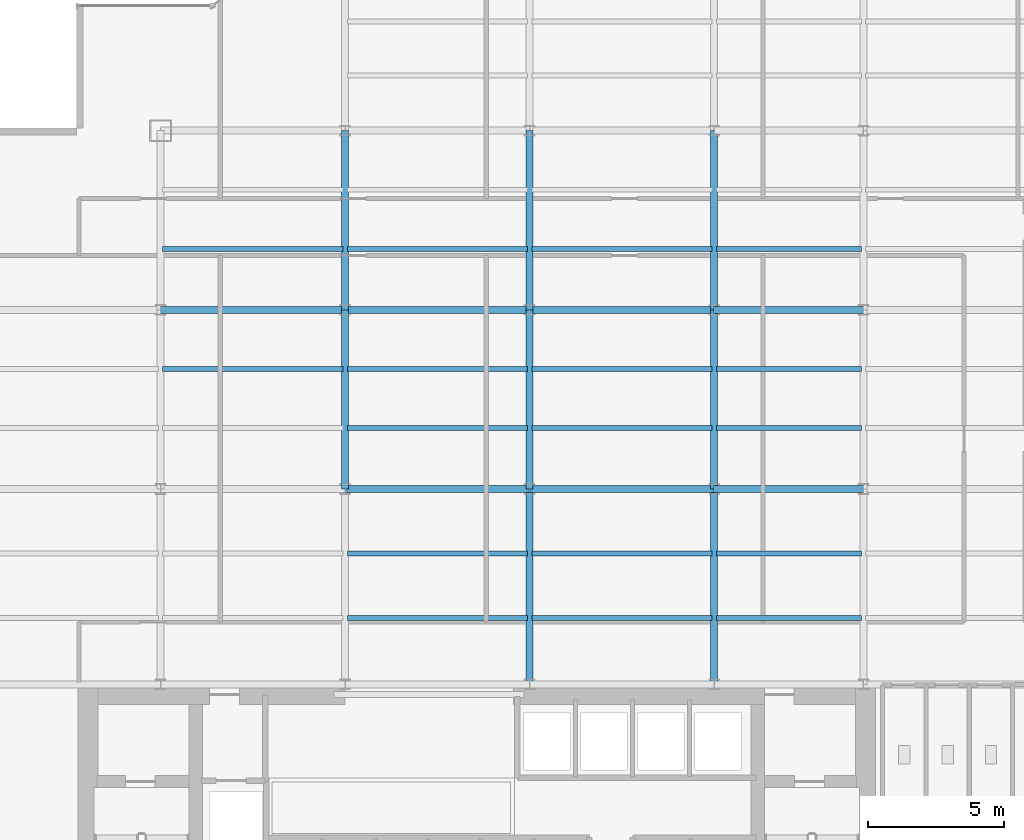
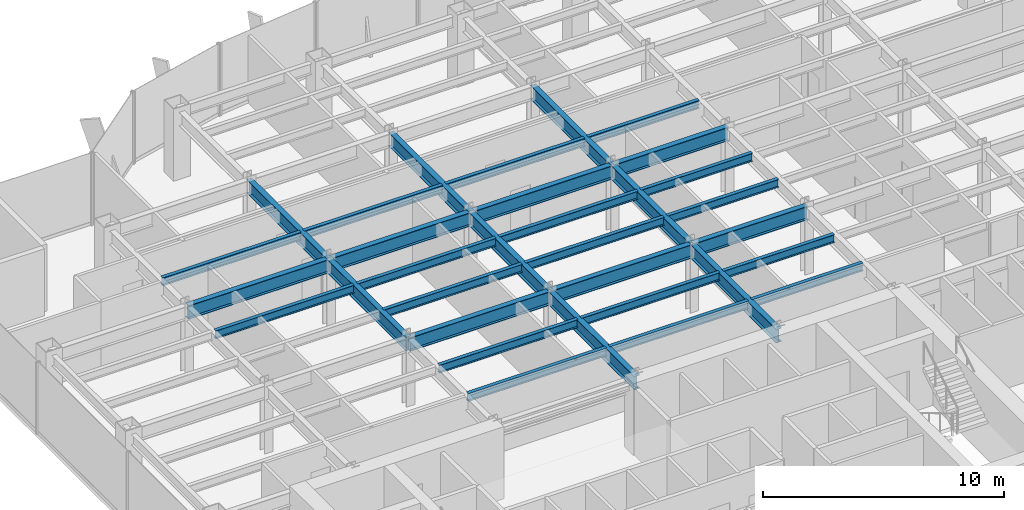
# One storey, part 7 of 26: 32 beams.
"""IFC4 building model written with IfcOpenShell, lengths in metres."""

from ifc_helpers import new_model, si_unit, derived_unit, direction, frame, origin, origin_2d, place, context, subcontext, project, spatial, i_section, extrude, source, transform, mapped, material, material_profile, profile_set, type_object, element, save


model = new_model("IFC4")

# Units and contexts
model_context = context("Model", 3, precision=1e-05, world=origin(), true_north=direction((0.0, 1.0)))
body_context = subcontext(model_context, "Body", "Model", "MODEL_VIEW")
ifc_project = project(units=[si_unit("LENGTHUNIT", "METRE"), si_unit("AREAUNIT", "SQUARE_METRE"), si_unit("VOLUMEUNIT", "CUBIC_METRE"), si_unit("PLANEANGLEUNIT", "RADIAN"), si_unit("MASSUNIT", "GRAM", prefix="KILO"), derived_unit("THERMALTRANSMITTANCEUNIT", [(si_unit("POWERUNIT", "WATT"), 1), (si_unit("LENGTHUNIT", "METRE"), -2), (si_unit("THERMODYNAMICTEMPERATUREUNIT", "KELVIN"), -1)])], contexts=[model_context])

# Site, building, storey
site_placement = place(None, origin())
site = spatial("IfcSite", under=ifc_project, at=site_placement, CompositionType="ELEMENT")
building_placement = place(site_placement, origin())
building = spatial("IfcBuilding", under=site, at=building_placement, Name="Skarnbrae Concourse Arena and Tower", CompositionType="ELEMENT")
storey_placement = place(building_placement, frame((0.0, 0.0, 121.5)))
storey = spatial("IfcBuildingStorey", under=building, at=storey_placement, Name="L30", CompositionType="ELEMENT", Elevation=121.5)

# Beams
ifc_material = material(Name="Steel CSA G40.21 350W", Category="steel")
ifc_material_profile_1 = material_profile(ifc_material, i_section(OverallWidth=0.256103515625, OverallDepth=0.693115234375, WebThickness=0.014404296875, FlangeThickness=0.023681640625, at=origin_2d()), Name="W690X170")
ifc_profile_set_1 = profile_set([ifc_material_profile_1], Name="Steel CSA G40.21 350W")
beam_type_1 = type_object("IfcBeamType", Name="BM-GIRD-W690X170", PredefinedType="BEAM", material=ifc_profile_set_1)
shared_shape_1 = source(origin(), body_context, "Body", "SweptSolid", [
    extrude(i_section(OverallWidth=0.256103515625, OverallDepth=0.693115234375, WebThickness=0.014404296875, FlangeThickness=0.023681640625, at=origin_2d()), origin(), (0.0, 0.0, 1.0), 6.60009765625),
])
for number, where, z_axis, x_axis, name in (
    (1, (14.39990234375, 21.199951171875, 3.053466796875), (0.0, 1.0, 0.0), (-1.0, 0.0, 0.0), "L30 Primary N-S girder X14.4-2"),
    (2, (21.199951171875, 21.199951171875, 3.053466796875), (0.0, 1.0, 0.0), (-1.0, 0.0, 0.0), "L30 Primary N-S girder X21.2-2"),
    (3, (28.0, 21.199951171875, 3.053466796875), (0.0, 1.0, 0.0), (-1.0, 0.0, 0.0), "L30 Primary N-S girder X28.0-2"),
):
    element("IfcBeam", number, at=place(storey_placement, frame(where, z_axis=z_axis, x_axis=x_axis)), inside=storey, type_object=beam_type_1, Name=name, PredefinedType="BEAM", context=body_context, shape_type="MappedRepresentation", body=[
        mapped(shared_shape_1, transform((0.0, 0.0, 0.0))),
    ])
shared_shape_2 = source(origin(), body_context, "Body", "SweptSolid", [
    extrude(i_section(OverallWidth=0.256103515625, OverallDepth=0.693115234375, WebThickness=0.014404296875, FlangeThickness=0.023681640625, at=origin_2d()), origin(), (0.0, 0.0, 1.0), 6.7998046875),
])
beam_placement = place(storey_placement, frame((7.60009765625, 27.800048828125, 3.053466796875), z_axis=(1.0, 0.0, 0.0), x_axis=(0.0, 1.0, 0.0)))
element("IfcBeam", 4, at=beam_placement, inside=storey, type_object=beam_type_1, Name="L30 Primary E-W girder Y27.8-2", PredefinedType="BEAM", context=body_context, shape_type="MappedRepresentation", body=[
    mapped(shared_shape_2, transform((0.0, 0.0, 0.0))),
])
shared_shape_3 = source(origin(), body_context, "Body", "SweptSolid", [
    extrude(i_section(OverallWidth=0.256103515625, OverallDepth=0.693115234375, WebThickness=0.014404296875, FlangeThickness=0.023681640625, at=origin_2d()), origin(), (0.0, 0.0, 1.0), 6.800048828125),
])
for number, where, z_axis, x_axis, name in (
    (5, (14.39990234375, 21.199951171875, 3.053466796875), (1.0, 0.0, 0.0), (0.0, 1.0, 0.0), "L30 Primary E-W girder Y21.2-3"),
    (6, (21.199951171875, 21.199951171875, 3.053466796875), (1.0, 0.0, 0.0), (0.0, 1.0, 0.0), "L30 Primary E-W girder Y21.2-4"),
    (7, (14.39990234375, 27.800048828125, 3.053466796875), (1.0, 0.0, 0.0), (0.0, 1.0, 0.0), "L30 Primary E-W girder Y27.8-3"),
    (8, (21.199951171875, 27.800048828125, 3.053466796875), (1.0, 0.0, 0.0), (0.0, 1.0, 0.0), "L30 Primary E-W girder Y27.8-4"),
):
    element("IfcBeam", number, at=place(storey_placement, frame(where, z_axis=z_axis, x_axis=x_axis)), inside=storey, type_object=beam_type_1, Name=name, PredefinedType="BEAM", context=body_context, shape_type="MappedRepresentation", body=[
        mapped(shared_shape_3, transform((0.0, 0.0, 0.0))),
    ])
shared_shape_4 = source(origin(), body_context, "Body", "SweptSolid", [
    extrude(i_section(OverallWidth=0.256103515625, OverallDepth=0.693115234375, WebThickness=0.014404296875, FlangeThickness=0.023681640625, at=origin_2d()), origin(), (0.0, 0.0, 1.0), 5.5),
])
for number, where, z_axis, x_axis, name in (
    (9, (28.0, 21.199951171875, 3.053466796875), (1.0, 0.0, 0.0), (0.0, 1.0, 0.0), "L30 Primary E-W girder Y21.2-5"),
    (10, (28.0, 27.800048828125, 3.053466796875), (1.0, 0.0, 0.0), (0.0, 1.0, 0.0), "L30 Primary E-W girder Y27.8-5"),
):
    element("IfcBeam", number, at=place(storey_placement, frame(where, z_axis=z_axis, x_axis=x_axis)), inside=storey, type_object=beam_type_1, Name=name, PredefinedType="BEAM", context=body_context, shape_type="MappedRepresentation", body=[
        mapped(shared_shape_4, transform((0.0, 0.0, 0.0))),
    ])
shared_shape_5 = source(origin(), body_context, "Body", "SweptSolid", [
    extrude(i_section(OverallWidth=0.256103515625, OverallDepth=0.693115234375, WebThickness=0.014404296875, FlangeThickness=0.023681640625, at=origin_2d()), origin(), (0.0, 0.0, 1.0), 7.199951171875),
])
for number, where, z_axis, x_axis, name in (
    (11, (21.199951171875, 14.0, 3.053466796875), (0.0, 1.0, 0.0), (-1.0, 0.0, 0.0), "L30 Primary N-S girder X21.2-1"),
    (12, (28.0, 14.0, 3.053466796875), (0.0, 1.0, 0.0), (-1.0, 0.0, 0.0), "L30 Primary N-S girder X28.0-1"),
):
    element("IfcBeam", number, at=place(storey_placement, frame(where, z_axis=z_axis, x_axis=x_axis)), inside=storey, type_object=beam_type_1, Name=name, PredefinedType="BEAM", context=body_context, shape_type="MappedRepresentation", body=[
        mapped(shared_shape_5, transform((0.0, 0.0, 0.0))),
    ])
shared_shape_6 = source(origin(), body_context, "Body", "SweptSolid", [
    extrude(i_section(OverallWidth=0.256103515625, OverallDepth=0.693115234375, WebThickness=0.014404296875, FlangeThickness=0.023681640625, at=origin_2d()), origin(), (0.0, 0.0, 1.0), 6.599853515625),
])
for number, where, z_axis, x_axis, name in (
    (13, (14.39990234375, 27.800048828125, 3.053466796875), (0.0, 1.0, 0.0), (-1.0, 0.0, 0.0), "L30 Primary N-S girder X14.4-3"),
    (14, (21.199951171875, 27.800048828125, 3.053466796875), (0.0, 1.0, 0.0), (-1.0, 0.0, 0.0), "L30 Primary N-S girder X21.2-3"),
    (15, (28.0, 27.800048828125, 3.053466796875), (0.0, 1.0, 0.0), (-1.0, 0.0, 0.0), "L30 Primary N-S girder X28.0-3"),
):
    element("IfcBeam", number, at=place(storey_placement, frame(where, z_axis=z_axis, x_axis=x_axis)), inside=storey, type_object=beam_type_1, Name=name, PredefinedType="BEAM", context=body_context, shape_type="MappedRepresentation", body=[
        mapped(shared_shape_6, transform((0.0, 0.0, 0.0))),
    ])
ifc_material_profile_2 = material_profile(ifc_material, i_section(OverallWidth=0.177978515625, OverallDepth=0.406982421875, WebThickness=0.0078125, FlangeThickness=0.0126953125, at=origin_2d()), Name="W410X60")
ifc_profile_set_2 = profile_set([ifc_material_profile_2], Name="Steel CSA G40.21 350W")
beam_type_2 = type_object("IfcBeamType", Name="BM-JOIST-W410X60", PredefinedType="JOIST", material=ifc_profile_set_2)
shared_shape_7 = source(origin(), body_context, "Body", "SweptSolid", [
    extrude(i_section(OverallWidth=0.177978515625, OverallDepth=0.406982421875, WebThickness=0.0078125, FlangeThickness=0.0126953125, at=origin_2d()), origin(), (0.0, 0.0, 1.0), 6.64013671875),
])
for number, where, z_axis, x_axis, name in (
    (16, (14.47998046875, 16.447998046875, 3.196533203125), (1.0, 0.0, 0.0), (0.0, 1.0, 0.0), "L30 Secondary floor joist 1.1.3"),
    (17, (14.47998046875, 18.823974609375, 3.196533203125), (1.0, 0.0, 0.0), (0.0, 1.0, 0.0), "L30 Secondary floor joist 1.2.3"),
    (18, (14.47998046875, 23.444091796875, 3.196533203125), (1.0, 0.0, 0.0), (0.0, 1.0, 0.0), "L30 Secondary floor joist 2.1.3"),
    (19, (7.679931640625, 25.6220703125, 3.196533203125), (1.0, 0.0, 0.0), (0.0, 1.0, 0.0), "L30 Secondary floor joist 2.2.2"),
    (20, (14.47998046875, 25.6220703125, 3.196533203125), (1.0, 0.0, 0.0), (0.0, 1.0, 0.0), "L30 Secondary floor joist 2.2.3"),
    (21, (7.679931640625, 30.0439453125, 3.196533203125), (1.0, 0.0, 0.0), (0.0, 1.0, 0.0), "L30 Secondary floor joist 3.1.1"),
    (22, (14.47998046875, 30.0439453125, 3.196533203125), (1.0, 0.0, 0.0), (0.0, 1.0, 0.0), "L30 Secondary floor joist 3.1.2"),
):
    element("IfcBeam", number, at=place(storey_placement, frame(where, z_axis=z_axis, x_axis=x_axis)), inside=storey, type_object=beam_type_2, Name=name, PredefinedType="JOIST", context=body_context, shape_type="MappedRepresentation", body=[
        mapped(shared_shape_7, transform((0.0, 0.0, 0.0))),
    ])
shared_shape_8 = source(origin(), body_context, "Body", "SweptSolid", [
    extrude(i_section(OverallWidth=0.177978515625, OverallDepth=0.406982421875, WebThickness=0.0078125, FlangeThickness=0.0126953125, at=origin_2d()), origin(), (0.0, 0.0, 1.0), 6.639892578125),
])
for number, where, z_axis, x_axis, name in (
    (23, (21.280029296875, 16.447998046875, 3.196533203125), (1.0, 0.0, 0.0), (0.0, 1.0, 0.0), "L30 Secondary floor joist 1.1.4"),
    (24, (21.280029296875, 18.823974609375, 3.196533203125), (1.0, 0.0, 0.0), (0.0, 1.0, 0.0), "L30 Secondary floor joist 1.2.4"),
    (25, (21.280029296875, 23.444091796875, 3.196533203125), (1.0, 0.0, 0.0), (0.0, 1.0, 0.0), "L30 Secondary floor joist 2.1.4"),
    (26, (21.280029296875, 25.6220703125, 3.196533203125), (1.0, 0.0, 0.0), (0.0, 1.0, 0.0), "L30 Secondary floor joist 2.2.4"),
    (27, (21.280029296875, 30.0439453125, 3.196533203125), (1.0, 0.0, 0.0), (0.0, 1.0, 0.0), "L30 Secondary floor joist 3.1.3"),
):
    element("IfcBeam", number, at=place(storey_placement, frame(where, z_axis=z_axis, x_axis=x_axis)), inside=storey, type_object=beam_type_2, Name=name, PredefinedType="JOIST", context=body_context, shape_type="MappedRepresentation", body=[
        mapped(shared_shape_8, transform((0.0, 0.0, 0.0))),
    ])
shared_shape_9 = source(origin(), body_context, "Body", "SweptSolid", [
    extrude(i_section(OverallWidth=0.177978515625, OverallDepth=0.406982421875, WebThickness=0.0078125, FlangeThickness=0.0126953125, at=origin_2d()), origin(), (0.0, 0.0, 1.0), 5.33984375),
])
for number, where, z_axis, x_axis, name in (
    (28, (28.080078125, 16.447998046875, 3.196533203125), (1.0, 0.0, 0.0), (0.0, 1.0, 0.0), "L30 Secondary floor joist 1.1.5"),
    (29, (28.080078125, 18.823974609375, 3.196533203125), (1.0, 0.0, 0.0), (0.0, 1.0, 0.0), "L30 Secondary floor joist 1.2.5"),
    (30, (28.080078125, 23.444091796875, 3.196533203125), (1.0, 0.0, 0.0), (0.0, 1.0, 0.0), "L30 Secondary floor joist 2.1.5"),
    (31, (28.080078125, 25.6220703125, 3.196533203125), (1.0, 0.0, 0.0), (0.0, 1.0, 0.0), "L30 Secondary floor joist 2.2.5"),
    (32, (28.080078125, 30.0439453125, 3.196533203125), (1.0, 0.0, 0.0), (0.0, 1.0, 0.0), "L30 Secondary floor joist 3.1.4"),
):
    element("IfcBeam", number, at=place(storey_placement, frame(where, z_axis=z_axis, x_axis=x_axis)), inside=storey, type_object=beam_type_2, Name=name, PredefinedType="JOIST", context=body_context, shape_type="MappedRepresentation", body=[
        mapped(shared_shape_9, transform((0.0, 0.0, 0.0))),
    ])

save(model, "model.ifc")
